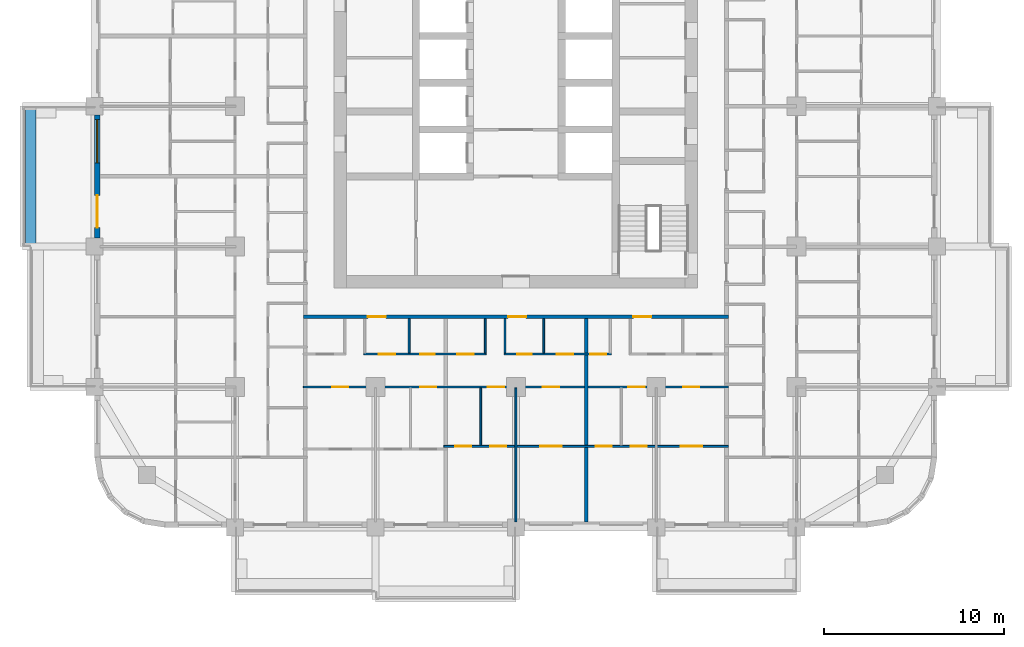
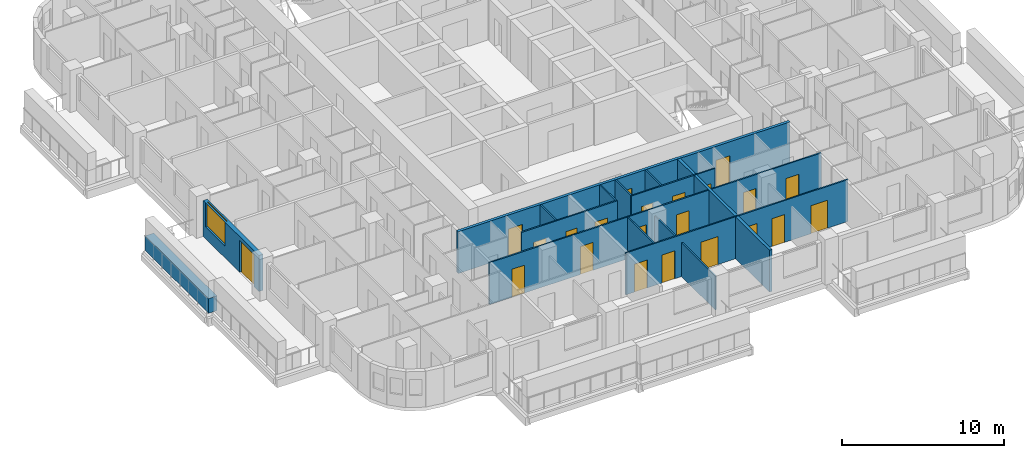
# One storey, part 4 of 18: 22 doors, 14 walls, 1 window, 23 openings.
"""IFC4 building model written with IfcOpenShell, lengths in metres."""

import ifcopenshell
import ifcopenshell.guid

model = None  # the IFC model being written
_history = None  # IfcOwnerHistory: only IFC2X3 demands one
_inside = {}  # id of a spatial element -> (the spatial element, [elements in it])
_under = {}  # id of a project, library or spatial element -> (it, [spatial elements below it])
_declared = {}  # id of a project -> (the project, [libraries it declares])
_typed = {}  # id of a type object -> (the type object, [elements of that type])
_made_of = {}  # id of a material, layer set ... -> (it, [elements and type objects made of it])


def new_model(schema):
    """Start an empty IFC model of exactly this schema.

    Asked for "IFC4X3", IfcOpenShell would pick the latest addendum, in which some entities
    have other attributes; the version numbers below select the first issue.
    IFC2X3 requires an IfcOwnerHistory on every rooted entity: one is made here for all.
    """
    global model, _history
    if schema == "IFC4X3":
        model = ifcopenshell.file(schema_version=(4, 3, 0, 0))
    else:
        model = ifcopenshell.file(schema=schema)
    _inside.clear()
    _under.clear()
    _declared.clear()
    _typed.clear()
    _made_of.clear()
    _history = None
    if model.schema == "IFC2X3":
        org = make("IfcOrganization", Name="unknown")
        user = make(
            "IfcPersonAndOrganization",
            ThePerson=make("IfcPerson", FamilyName="unknown"),
            TheOrganization=org,
        )
        app = make(
            "IfcApplication",
            ApplicationDeveloper=org,
            Version="unknown",
            ApplicationFullName="unknown",
            ApplicationIdentifier="unknown",
        )
        _history = make(
            "IfcOwnerHistory",
            OwningUser=user,
            OwningApplication=app,
            ChangeAction="ADDED",
            CreationDate=0,
        )
    return model


def make(cls, **values):
    """One entity of the class cls with the attributes given. An attribute that is None is left unset."""
    return model.create_entity(
        cls, **{name: value for name, value in values.items() if value is not None}
    )


def rooted(cls, **values):
    """An entity with a GlobalId (a new one), such as an element, a storey or a relation."""
    return make(cls, GlobalId=ifcopenshell.guid.new(), OwnerHistory=_history, **values)


def si_unit(unit_type, name, prefix=None):
    """IfcSIUnit, for example si_unit("LENGTHUNIT", "METRE", prefix="MILLI")."""
    return make("IfcSIUnit", UnitType=unit_type, Prefix=prefix, Name=name)


def assignment(units):
    """IfcUnitAssignment: the units of a project."""
    return None if units is None else make("IfcUnitAssignment", Units=units)


def point(xyz):
    """IfcCartesianPoint."""
    return None if xyz is None else make("IfcCartesianPoint", Coordinates=xyz)


def direction(xyz):
    """IfcDirection."""
    return None if xyz is None else make("IfcDirection", DirectionRatios=xyz)


def frame(location, z_axis=None, x_axis=None):
    """IfcAxis2Placement3D, a coordinate frame: its origin and axes. An axis left out is left unset."""
    return make(
        "IfcAxis2Placement3D",
        Location=point(location),
        Axis=direction(z_axis),
        RefDirection=direction(x_axis),
    )


def frame_2d(location, x_axis=None):
    """IfcAxis2Placement2D, a coordinate frame in the plane: its origin and x axis."""
    return make(
        "IfcAxis2Placement2D", Location=point(location), RefDirection=direction(x_axis)
    )


def origin():
    """The frame at (0, 0, 0) with its axes left unset."""
    return frame((0.0, 0.0, 0.0))


def place(relative_to, where):
    """IfcLocalPlacement: puts the frame where relative to a parent placement (None: the world)."""
    return make(
        "IfcLocalPlacement", PlacementRelTo=relative_to, RelativePlacement=where
    )


def context(
    kind, dimensions, precision=None, world=None, true_north=None, identifier=None
):
    """IfcGeometricRepresentationContext, for example the 3D "Model" context."""
    return make(
        "IfcGeometricRepresentationContext",
        ContextIdentifier=identifier,
        ContextType=kind,
        CoordinateSpaceDimension=dimensions,
        Precision=precision,
        WorldCoordinateSystem=world,
        TrueNorth=true_north,
    )


def subcontext(parent, identifier, kind, view, scale=None):
    """IfcGeometricRepresentationSubContext, for example "Body" below "Model"."""
    return make(
        "IfcGeometricRepresentationSubContext",
        ContextIdentifier=identifier,
        ContextType=kind,
        ParentContext=parent,
        TargetScale=scale,
        TargetView=view,
    )


def project(units=None, contexts=None):
    """IfcProject with its units and contexts."""
    return rooted(
        "IfcProject",
        Name="project",
        RepresentationContexts=contexts,
        UnitsInContext=assignment(units),
    )


def spatial(cls, under=None, at=None, **own):
    """A site, building, storey or space (cls), placed at a placement, below another one or the project."""
    s = rooted(cls, ObjectPlacement=at, **own)
    if under is not None:
        _under.setdefault(under.id(), (under, []))[1].append(s)
    return s


def profile(cls, at=None, kind="AREA", **sizes):
    """A parametric profile (cls). Its sizes go by their IFC names, for example OverallWidth=200.0."""
    return make(cls, ProfileType=kind, Position=at, **sizes)


def rectangle(**sizes):
    """IfcRectangleProfileDef."""
    return profile("IfcRectangleProfileDef", **sizes)


def extrude(swept, where, along, depth):
    """IfcExtrudedAreaSolid: the profile swept, set in the frame where, extruded along a direction by depth."""
    return make(
        "IfcExtrudedAreaSolid",
        SweptArea=swept,
        Position=where,
        ExtrudedDirection=direction(along),
        Depth=depth,
    )


def shape(context_of_items, identifier, shape_type, items):
    """IfcShapeRepresentation: the items that make up one representation, for example the "Body"."""
    return make(
        "IfcShapeRepresentation",
        ContextOfItems=context_of_items,
        RepresentationIdentifier=identifier,
        RepresentationType=shape_type,
        Items=items,
    )


def material(Name=None, Category=None):
    """IfcMaterial."""
    return make("IfcMaterial", Name=Name, Category=Category)


def layer(
    of_material, thickness, ventilated=None, Name=None, Category=None, Priority=None
):
    """IfcMaterialLayer: one layer of a wall or slab, of a material (None: an air gap)."""
    return make(
        "IfcMaterialLayer",
        Material=of_material,
        LayerThickness=thickness,
        IsVentilated=ventilated,
        Name=Name,
        Category=Category,
        Priority=Priority,
    )


def layer_set(layers, Name=None):
    """IfcMaterialLayerSet."""
    return make("IfcMaterialLayerSet", MaterialLayers=layers, LayerSetName=Name)


def made_of(thing, what):
    """Note that an element or type object is made of a material, layer set ...; save() writes the relation."""
    if what is not None:
        _made_of.setdefault(what.id(), (what, []))[1].append(thing)
    return thing


def type_object(cls, material=None, **own):
    """A type object (cls), such as IfcWallType, which elements share."""
    return made_of(rooted(cls, **own), material)


def element(
    cls,
    number,
    at=None,
    inside=None,
    cuts=None,
    type_object=None,
    material=None,
    context=None,
    identifier="Body",
    shape_type=None,
    held_by="IfcProductDefinitionShape",
    body=None,
    shapes=None,
    **own,
):
    """One element of the class cls, such as IfcWall. Its Tag is "e" and its number.

    at: its placement. inside: the storey or other place that contains it. cuts: it is an
    opening in that element (IfcRelVoidsElement). A single representation is given by context,
    identifier, shape_type and body (its items); several are given by shapes. held_by: the class
    of the entity that holds the representations. save() writes the other relations.
    """
    e = rooted(cls, Tag="e%d" % number, ObjectPlacement=at, **own)
    if body is not None:
        shapes = [shape(context, identifier, shape_type, body)]
    if shapes is not None:
        e.Representation = make(held_by, Representations=shapes)
    if inside is not None:
        _inside.setdefault(inside.id(), (inside, []))[1].append(e)
    if cuts is not None:
        rooted(
            "IfcRelVoidsElement", RelatingBuildingElement=cuts, RelatedOpeningElement=e
        )
    if type_object is not None:
        _typed.setdefault(type_object.id(), (type_object, []))[1].append(e)
    return made_of(e, material)


def fill(opening, filler):
    """IfcRelFillsElement: the door or window that sits in an opening."""
    return rooted(
        "IfcRelFillsElement",
        RelatingOpeningElement=opening,
        RelatedBuildingElement=filler,
    )


def aggregate(whole, parts):
    """IfcRelAggregates: a whole, such as a stair, and the parts it consists of."""
    return rooted("IfcRelAggregates", RelatingObject=whole, RelatedObjects=parts)


def save(model, path):
    """Write the relations noted so far, then the file.

    IfcRelAggregates (storeys below a building ...), IfcRelContainedInSpatialStructure (elements
    in a storey), IfcRelDefinesByType, IfcRelAssociatesMaterial and IfcRelDeclares: one each for
    every whole, place, type object, material and project.
    """
    for whole, parts in _under.values():
        aggregate(whole, parts)
    for where, things in _inside.values():
        rooted(
            "IfcRelContainedInSpatialStructure",
            RelatedElements=things,
            RelatingStructure=where,
        )
    for kind, things in _typed.values():
        rooted("IfcRelDefinesByType", RelatedObjects=things, RelatingType=kind)
    for what, things in _made_of.values():
        rooted("IfcRelAssociatesMaterial", RelatedObjects=things, RelatingMaterial=what)
    for by, libraries in _declared.values():
        rooted("IfcRelDeclares", RelatingContext=by, RelatedDefinitions=libraries)
    model.write(path)


model = new_model("IFC4")

# Units and contexts
model_context = context("Model", 3, precision=1e-05, world=origin(), true_north=direction((0.0, 1.0)))
body_context = subcontext(model_context, "Body", "Model", "MODEL_VIEW")
ifc_project = project(units=[si_unit("LENGTHUNIT", "METRE"), si_unit("AREAUNIT", "SQUARE_METRE"), si_unit("VOLUMEUNIT", "CUBIC_METRE"), si_unit("PLANEANGLEUNIT", "RADIAN"), si_unit("MASSUNIT", "GRAM", prefix="KILO")], contexts=[model_context])

# Site, building, storey
site_placement = place(None, origin())
site = spatial("IfcSite", under=ifc_project, at=site_placement, CompositionType="ELEMENT")
building_placement = place(site_placement, origin())
building = spatial("IfcBuilding", under=site, at=building_placement, Name="Ludao Terraces", CompositionType="ELEMENT")
storey_placement = place(building_placement, frame((0.0, 0.0, 64.800048828125)))
storey = spatial("IfcBuildingStorey", under=building, at=storey_placement, Name="L17", CompositionType="ELEMENT", Elevation=64.800048828125)

# Wall
ifc_material_1 = material(Name="Concrete C40", Category="concrete")
ifc_layer_1 = layer(ifc_material_1, 0.60009765625)
ifc_layer_set_1 = layer_set([ifc_layer_1], Name="ENV Planter trough 600")
wall_type_1 = type_object("IfcWallType", Name="ENV Planter trough 600", PredefinedType="USERDEFINED", material=ifc_layer_set_1)
wall_1_placement = place(storey_placement, frame((58.050048828125, 57.199951171875, 0.0), z_axis=(0.0, 0.0, 1.0), x_axis=(0.0, 1.0, 0.0)))
element("IfcWall", 1, at=wall_1_placement, inside=storey, type_object=wall_type_1, Name="PL-L17-W2", ObjectType="PLANTER", PredefinedType="USERDEFINED", context=body_context, shape_type="SweptSolid", body=[
    extrude(rectangle(XDim=7.800048828125, YDim=0.60009765625, at=frame_2d((3.89990234375, 0.0))), origin(), (0.0, 0.0, 1.0), 1.099853515625),
])

# Wall, openings, door, window
ifc_material_2 = material(Name="Granite cladding", Category="masonry")
ifc_layer_2 = layer(ifc_material_2, 0.0400390625, Category="stone")
ifc_material_3 = material(Name="Mineral wool")
ifc_layer_3 = layer(ifc_material_3, 0.06005859375)
ifc_layer_4 = layer(ifc_material_1, 0.199951171875, Category="concrete")
ifc_layer_set_2 = layer_set([ifc_layer_2, ifc_layer_3, ifc_layer_4], Name="ENV Stone-clad wall 300")
wall_type_2 = type_object("IfcWallType", Name="ENV Stone-clad wall 300", PredefinedType="SOLIDWALL", material=ifc_layer_set_2)
wall_2_placement = place(storey_placement, frame((61.75, 57.675048828125, 0.0), z_axis=(0.0, 0.0, 1.0), x_axis=(0.0, 1.0, 0.0)))
wall_2 = element("IfcWall", 2, at=wall_2_placement, inside=storey, type_object=wall_type_2, Name="EW-L17-W3", PredefinedType="SOLIDWALL", context=body_context, shape_type="SweptSolid", body=[
    extrude(rectangle(XDim=6.849853515625, YDim=0.300048828125, at=frame_2d((3.4248046875, 0.0))), origin(), (0.0, 0.0, 1.0), 2.699951171875),
])
opening_1_placement = place(wall_2_placement, frame((0.574951171875, 0.0, 0.0)))
opening_1 = element("IfcOpeningElement", 3, at=opening_1_placement, cuts=wall_2, Name="Opening BD", PredefinedType="OPENING", context=body_context, shape_type="SweptSolid", body=[
    extrude(rectangle(XDim=1.800048828125, YDim=2.39990234375, at=frame_2d((0.89990234375, 1.199951171875))), frame((0.0, 0.16015625, 0.0), z_axis=(0.0, -1.0, 0.0), x_axis=(1.0, 0.0, 0.0)), (0.0, 0.0, 1.0), 0.320068359375),
])
opening_2_placement = place(wall_2_placement, frame((4.175048828125, 0.0, 0.89990234375)))
opening_2 = element("IfcOpeningElement", 4, at=opening_2_placement, cuts=wall_2, Name="Opening W1", PredefinedType="OPENING", context=body_context, shape_type="SweptSolid", body=[
    extrude(rectangle(XDim=2.39990234375, YDim=1.800048828125, at=frame_2d((1.199951171875, 0.89990234375))), frame((0.0, 0.16015625, 0.0), z_axis=(0.0, -1.0, 0.0), x_axis=(1.0, 0.0, 0.0)), (0.0, 0.0, 1.0), 0.320068359375),
])
ifc_material_4 = material(Name="Aluminium glazed door", Category="aluminium")
ifc_layer_5 = layer(ifc_material_4, 0.06005859375)
ifc_layer_set_3 = layer_set([ifc_layer_5], Name="ENV Balcony door BD 1800x2400")
door_type_1 = type_object("IfcDoorType", Name="ENV Balcony door BD 1800x2400", OperationType="DOUBLE_DOOR_SINGLE_SWING", PredefinedType="DOOR", material=ifc_layer_set_3)
door_1_placement = place(opening_1_placement, origin())
door_1 = element("IfcDoor", 5, at=door_1_placement, inside=storey, type_object=door_type_1, Name="BD-L17-W3-1", OperationType="DOUBLE_DOOR_SINGLE_SWING", OverallHeight=2.39990234375, OverallWidth=1.800048828125, PredefinedType="DOOR", context=body_context, shape_type="SweptSolid", body=[
    extrude(rectangle(XDim=1.800048828125, YDim=2.39990234375, at=frame_2d((0.89990234375, 1.199951171875))), frame((0.0, 0.02490234375, 0.0), z_axis=(0.0, -1.0, 0.0), x_axis=(1.0, 0.0, 0.0)), (0.0, 0.0, 1.0), 0.050048828125),
])
fill(opening_1, door_1)
ifc_material_5 = material(Name="Clear glass in aluminium frame", Category="aluminium")
ifc_layer_6 = layer(ifc_material_5, 0.06005859375)
ifc_layer_set_4 = layer_set([ifc_layer_6], Name="ENV Window W1 2400x1800")
window_type = type_object("IfcWindowType", Name="ENV Window W1 2400x1800", PartitioningType="DOUBLE_PANEL_VERTICAL", PredefinedType="WINDOW", material=ifc_layer_set_4)
window_placement = place(opening_2_placement, origin())
window = element("IfcWindow", 6, at=window_placement, inside=storey, type_object=window_type, Name="W-L17-W3-2", OverallHeight=1.800048828125, OverallWidth=2.39990234375, PartitioningType="DOUBLE_PANEL_VERTICAL", PredefinedType="WINDOW", context=body_context, shape_type="SweptSolid", body=[
    extrude(rectangle(XDim=2.39990234375, YDim=1.800048828125, at=frame_2d((1.199951171875, 0.89990234375))), frame((0.0, 0.030029296875, 0.0), z_axis=(0.0, -1.0, 0.0), x_axis=(1.0, 0.0, 0.0)), (0.0, 0.0, 1.0), 0.06005859375),
])
fill(opening_2, window)

# Wall, openings, doors
ifc_material_6 = material(Name="Autoclaved aerated concrete block B06 A3.5", Category="concrete")
ifc_layer_7 = layer(ifc_material_6, 0.199951171875)
ifc_layer_set_5 = layer_set([ifc_layer_7], Name="INT Entrance wall 200")
wall_type_3 = type_object("IfcWallType", Name="INT Entrance wall 200", PredefinedType="PARTITIONING", material=ifc_layer_set_5)
wall_3_placement = place(storey_placement, frame((73.2001953125, 53.300048828125, 0.0), z_axis=(0.0, 0.0, 1.0), x_axis=(1.0, 0.0, 0.0)))
wall_3 = element("IfcWall", 7, at=wall_3_placement, inside=storey, type_object=wall_type_3, Name="PW-L17-PW019", PredefinedType="PARTITIONING", context=body_context, shape_type="SweptSolid", body=[
    extrude(rectangle(XDim=23.599853515625, YDim=0.199951171875, at=frame_2d((11.7998046875, 0.0))), origin(), (0.0, 0.0, 1.0), 3.14990234375),
])
opening_3_placement = place(wall_3_placement, frame((3.574951171875, 0.0, 0.0)))
opening_3 = element("IfcOpeningElement", 8, at=opening_3_placement, cuts=wall_3, Name="Opening R05-048", PredefinedType="OPENING", context=body_context, shape_type="SweptSolid", body=[
    extrude(rectangle(XDim=1.0, YDim=2.10009765625, at=frame_2d((0.5, 1.050048828125))), frame((0.0, 0.10986328125, 0.0), z_axis=(0.0, -1.0, 0.0), x_axis=(1.0, 0.0, 0.0)), (0.0, 0.0, 1.0), 0.219970703125),
])
opening_4_placement = place(wall_3_placement, frame((11.375, 0.0, 0.0)))
opening_4 = element("IfcOpeningElement", 9, at=opening_4_placement, cuts=wall_3, Name="Opening R05-049", PredefinedType="OPENING", context=body_context, shape_type="SweptSolid", body=[
    extrude(rectangle(XDim=1.0, YDim=2.10009765625, at=frame_2d((0.5, 1.050048828125))), frame((0.0, 0.10986328125, 0.0), z_axis=(0.0, -1.0, 0.0), x_axis=(1.0, 0.0, 0.0)), (0.0, 0.0, 1.0), 0.219970703125),
])
opening_5_placement = place(wall_3_placement, frame((18.324951171875, 0.0, 0.0)))
opening_5 = element("IfcOpeningElement", 10, at=opening_5_placement, cuts=wall_3, Name="Opening R05-050", PredefinedType="OPENING", context=body_context, shape_type="SweptSolid", body=[
    extrude(rectangle(XDim=1.0, YDim=2.10009765625, at=frame_2d((0.5, 1.050048828125))), frame((0.0, 0.10986328125, 0.0), z_axis=(0.0, -1.0, 0.0), x_axis=(1.0, 0.0, 0.0)), (0.0, 0.0, 1.0), 0.219970703125),
])
ifc_material_7 = material(Name="Steel Q235", Category="steel")
door_type_2 = type_object("IfcDoorType", Name="INT Flat entrance door 1000", OperationType="SINGLE_SWING_LEFT", PredefinedType="DOOR", material=ifc_material_7)
door_2_placement = place(opening_3_placement, origin())
door_2 = element("IfcDoor", 11, at=door_2_placement, inside=storey, type_object=door_type_2, Name="DOOR 048", OperationType="SINGLE_SWING_LEFT", OverallHeight=2.10009765625, OverallWidth=1.0, PredefinedType="DOOR", context=body_context, shape_type="SweptSolid", body=[
    extrude(rectangle(XDim=1.0, YDim=2.10009765625, at=frame_2d((0.5, 1.050048828125))), frame((0.0, 0.02490234375, 0.0), z_axis=(0.0, -1.0, 0.0), x_axis=(1.0, 0.0, 0.0)), (0.0, 0.0, 1.0), 0.050048828125),
])
fill(opening_3, door_2)
door_3_placement = place(opening_4_placement, origin())
door_3 = element("IfcDoor", 12, at=door_3_placement, inside=storey, type_object=door_type_2, Name="DOOR 049", OperationType="SINGLE_SWING_LEFT", OverallHeight=2.10009765625, OverallWidth=1.0, PredefinedType="DOOR", context=body_context, shape_type="SweptSolid", body=[
    extrude(rectangle(XDim=1.0, YDim=2.10009765625, at=frame_2d((0.5, 1.050048828125))), frame((0.0, 0.02490234375, 0.0), z_axis=(0.0, -1.0, 0.0), x_axis=(1.0, 0.0, 0.0)), (0.0, 0.0, 1.0), 0.050048828125),
])
fill(opening_4, door_3)
door_4_placement = place(opening_5_placement, origin())
door_4 = element("IfcDoor", 13, at=door_4_placement, inside=storey, type_object=door_type_2, Name="DOOR 050", OperationType="SINGLE_SWING_LEFT", OverallHeight=2.10009765625, OverallWidth=1.0, PredefinedType="DOOR", context=body_context, shape_type="SweptSolid", body=[
    extrude(rectangle(XDim=1.0, YDim=2.10009765625, at=frame_2d((0.5, 1.050048828125))), frame((0.0, 0.02490234375, 0.0), z_axis=(0.0, -1.0, 0.0), x_axis=(1.0, 0.0, 0.0)), (0.0, 0.0, 1.0), 0.050048828125),
])
fill(opening_5, door_4)

ifc_material_8 = material(Name="Gypsum plasterboard", Category="gypsum")
ifc_layer_8 = layer(ifc_material_8, 0.012451171875, Category="gypsum")
ifc_layer_9 = layer(ifc_material_3, 0.06005859375, Name="insulation")
ifc_layer_10 = layer(ifc_material_7, 0.014892578125, Name="stud")
ifc_layer_11 = layer(ifc_material_8, 0.012451171875, Category="gypsum")
ifc_layer_set_6 = layer_set([ifc_layer_8, ifc_layer_9, ifc_layer_10, ifc_layer_11], Name="INT Partition 100")
wall_type_4 = type_object("IfcWallType", Name="INT Partition 100", PredefinedType="PARTITIONING", material=ifc_layer_set_6)
wall_4_placement = place(storey_placement, frame((81.0, 46.10009765625, 0.0), z_axis=(0.0, 0.0, 1.0), x_axis=(1.0, 0.0, 0.0)))
wall_4 = element("IfcWall", 14, at=wall_4_placement, inside=storey, type_object=wall_type_4, Name="PW-L17-PW003", PredefinedType="PARTITIONING", context=body_context, shape_type="SweptSolid", body=[
    extrude(rectangle(XDim=15.800048828125, YDim=0.10009765625, at=frame_2d((7.89990234375, 0.0))), origin(), (0.0, 0.0, 1.0), 3.14990234375),
])
opening_6_placement = place(wall_4_placement, frame((0.625, 0.0, 0.0)))
opening_6 = element("IfcOpeningElement", 15, at=opening_6_placement, cuts=wall_4, Name="Opening R05-010", PredefinedType="OPENING", context=body_context, shape_type="SweptSolid", body=[
    extrude(rectangle(XDim=0.89990234375, YDim=2.10009765625, at=frame_2d((0.449951171875, 1.050048828125))), frame((0.0, 0.06005859375, 0.0), z_axis=(0.0, -1.0, 0.0), x_axis=(1.0, 0.0, 0.0)), (0.0, 0.0, 1.0), 0.1201171875),
])
opening_7_placement = place(wall_4_placement, frame((2.5751953125, 0.0, 0.0)))
opening_7 = element("IfcOpeningElement", 16, at=opening_7_placement, cuts=wall_4, Name="Opening R05-011", PredefinedType="OPENING", context=body_context, shape_type="SweptSolid", body=[
    extrude(rectangle(XDim=0.89990234375, YDim=2.10009765625, at=frame_2d((0.449951171875, 1.050048828125))), frame((0.0, 0.06005859375, 0.0), z_axis=(0.0, -1.0, 0.0), x_axis=(1.0, 0.0, 0.0)), (0.0, 0.0, 1.0), 0.1201171875),
])
opening_8_placement = place(wall_4_placement, frame((5.35009765625, 0.0, 0.0)))
opening_8 = element("IfcOpeningElement", 17, at=opening_8_placement, cuts=wall_4, Name="Opening R05-012", PredefinedType="OPENING", context=body_context, shape_type="SweptSolid", body=[
    extrude(rectangle(XDim=1.199951171875, YDim=2.10009765625, at=frame_2d((0.60009765625, 1.050048828125))), frame((0.0, 0.06005859375, 0.0), z_axis=(0.0, -1.0, 0.0), x_axis=(1.0, 0.0, 0.0)), (0.0, 0.0, 1.0), 0.1201171875),
])
opening_9_placement = place(wall_4_placement, frame((8.425048828125, 0.0, 0.0)))
opening_9 = element("IfcOpeningElement", 18, at=opening_9_placement, cuts=wall_4, Name="Opening R05-013", PredefinedType="OPENING", context=body_context, shape_type="SweptSolid", body=[
    extrude(rectangle(XDim=0.89990234375, YDim=2.10009765625, at=frame_2d((0.449951171875, 1.050048828125))), frame((0.0, 0.06005859375, 0.0), z_axis=(0.0, -1.0, 0.0), x_axis=(1.0, 0.0, 0.0)), (0.0, 0.0, 1.0), 0.1201171875),
])
opening_10_placement = place(wall_4_placement, frame((10.375, 0.0, 0.0)))
opening_10 = element("IfcOpeningElement", 19, at=opening_10_placement, cuts=wall_4, Name="Opening R05-014", PredefinedType="OPENING", context=body_context, shape_type="SweptSolid", body=[
    extrude(rectangle(XDim=0.89990234375, YDim=2.10009765625, at=frame_2d((0.449951171875, 1.050048828125))), frame((0.0, 0.06005859375, 0.0), z_axis=(0.0, -1.0, 0.0), x_axis=(1.0, 0.0, 0.0)), (0.0, 0.0, 1.0), 0.1201171875),
])
opening_11_placement = place(wall_4_placement, frame((13.150146484375, 0.0, 0.0)))
opening_11 = element("IfcOpeningElement", 20, at=opening_11_placement, cuts=wall_4, Name="Opening R05-015", PredefinedType="OPENING", context=body_context, shape_type="SweptSolid", body=[
    extrude(rectangle(XDim=1.199951171875, YDim=2.10009765625, at=frame_2d((0.60009765625, 1.050048828125))), frame((0.0, 0.06005859375, 0.0), z_axis=(0.0, -1.0, 0.0), x_axis=(1.0, 0.0, 0.0)), (0.0, 0.0, 1.0), 0.1201171875),
])
ifc_material_9 = material(Name="Timber door leaf", Category="wood")
door_type_3 = type_object("IfcDoorType", Name="INT Bathroom door 900", OperationType="SINGLE_SWING_LEFT", PredefinedType="DOOR", material=ifc_material_9)
door_5_placement = place(opening_6_placement, origin())
door_5 = element("IfcDoor", 21, at=door_5_placement, inside=storey, type_object=door_type_3, Name="DOOR 010", OperationType="SINGLE_SWING_LEFT", OverallHeight=2.10009765625, OverallWidth=0.89990234375, PredefinedType="DOOR", context=body_context, shape_type="SweptSolid", body=[
    extrude(rectangle(XDim=0.89990234375, YDim=2.10009765625, at=frame_2d((0.449951171875, 1.050048828125))), frame((0.0, 0.02490234375, 0.0), z_axis=(0.0, -1.0, 0.0), x_axis=(1.0, 0.0, 0.0)), (0.0, 0.0, 1.0), 0.050048828125),
])
fill(opening_6, door_5)
door_6_placement = place(opening_9_placement, origin())
door_6 = element("IfcDoor", 22, at=door_6_placement, inside=storey, type_object=door_type_3, Name="DOOR 013", OperationType="SINGLE_SWING_LEFT", OverallHeight=2.10009765625, OverallWidth=0.89990234375, PredefinedType="DOOR", context=body_context, shape_type="SweptSolid", body=[
    extrude(rectangle(XDim=0.89990234375, YDim=2.10009765625, at=frame_2d((0.449951171875, 1.050048828125))), frame((0.0, 0.02490234375, 0.0), z_axis=(0.0, -1.0, 0.0), x_axis=(1.0, 0.0, 0.0)), (0.0, 0.0, 1.0), 0.050048828125),
])
fill(opening_9, door_6)
door_type_4 = type_object("IfcDoorType", Name="INT Double door 1200", OperationType="DOUBLE_DOOR_SINGLE_SWING", PredefinedType="DOOR", material=ifc_material_9)
door_7_placement = place(opening_8_placement, origin())
door_7 = element("IfcDoor", 23, at=door_7_placement, inside=storey, type_object=door_type_4, Name="DOOR 012", OperationType="DOUBLE_DOOR_SINGLE_SWING", OverallHeight=2.10009765625, OverallWidth=1.199951171875, PredefinedType="DOOR", context=body_context, shape_type="SweptSolid", body=[
    extrude(rectangle(XDim=1.199951171875, YDim=2.10009765625, at=frame_2d((0.60009765625, 1.050048828125))), frame((0.0, 0.02490234375, 0.0), z_axis=(0.0, -1.0, 0.0), x_axis=(1.0, 0.0, 0.0)), (0.0, 0.0, 1.0), 0.050048828125),
])
fill(opening_8, door_7)
door_8_placement = place(opening_11_placement, origin())
door_8 = element("IfcDoor", 24, at=door_8_placement, inside=storey, type_object=door_type_4, Name="DOOR 015", OperationType="DOUBLE_DOOR_SINGLE_SWING", OverallHeight=2.10009765625, OverallWidth=1.199951171875, PredefinedType="DOOR", context=body_context, shape_type="SweptSolid", body=[
    extrude(rectangle(XDim=1.199951171875, YDim=2.10009765625, at=frame_2d((0.60009765625, 1.050048828125))), frame((0.0, 0.02490234375, 0.0), z_axis=(0.0, -1.0, 0.0), x_axis=(1.0, 0.0, 0.0)), (0.0, 0.0, 1.0), 0.050048828125),
])
fill(opening_11, door_8)
door_type_5 = type_object("IfcDoorType", Name="INT Room door 900", OperationType="SINGLE_SWING_LEFT", PredefinedType="DOOR", material=ifc_material_9)
door_9_placement = place(opening_7_placement, origin())
door_9 = element("IfcDoor", 25, at=door_9_placement, inside=storey, type_object=door_type_5, Name="DOOR 011", OperationType="SINGLE_SWING_LEFT", OverallHeight=2.10009765625, OverallWidth=0.89990234375, PredefinedType="DOOR", context=body_context, shape_type="SweptSolid", body=[
    extrude(rectangle(XDim=0.89990234375, YDim=2.10009765625, at=frame_2d((0.449951171875, 1.050048828125))), frame((0.0, 0.02490234375, 0.0), z_axis=(0.0, -1.0, 0.0), x_axis=(1.0, 0.0, 0.0)), (0.0, 0.0, 1.0), 0.050048828125),
])
fill(opening_7, door_9)
door_10_placement = place(opening_10_placement, origin())
door_10 = element("IfcDoor", 26, at=door_10_placement, inside=storey, type_object=door_type_5, Name="DOOR 014", OperationType="SINGLE_SWING_RIGHT", OverallHeight=2.10009765625, OverallWidth=0.89990234375, PredefinedType="DOOR", context=body_context, shape_type="SweptSolid", body=[
    extrude(rectangle(XDim=0.89990234375, YDim=2.10009765625, at=frame_2d((0.449951171875, 1.050048828125))), frame((0.0, 0.02490234375, 0.0), z_axis=(0.0, -1.0, 0.0), x_axis=(1.0, 0.0, 0.0)), (0.0, 0.0, 1.0), 0.050048828125),
])
fill(opening_10, door_10)

wall_5_placement = place(storey_placement, frame((73.2001953125, 49.39990234375, 0.0), z_axis=(0.0, 0.0, 1.0), x_axis=(1.0, 0.0, 0.0)))
wall_5 = element("IfcWall", 27, at=wall_5_placement, inside=storey, type_object=wall_type_4, Name="PW-L17-PW008", PredefinedType="PARTITIONING", context=body_context, shape_type="SweptSolid", body=[
    extrude(rectangle(XDim=23.599853515625, YDim=0.10009765625, at=frame_2d((11.7998046875, 0.0))), origin(), (0.0, 0.0, 1.0), 3.14990234375),
])
opening_12_placement = place(wall_5_placement, frame((1.599853515625, 0.0, 0.0)))
opening_12 = element("IfcOpeningElement", 28, at=opening_12_placement, cuts=wall_5, Name="Opening R05-024", PredefinedType="OPENING", context=body_context, shape_type="SweptSolid", body=[
    extrude(rectangle(XDim=0.89990234375, YDim=2.10009765625, at=frame_2d((0.449951171875, 1.050048828125))), frame((0.0, 0.06005859375, 0.0), z_axis=(0.0, -1.0, 0.0), x_axis=(1.0, 0.0, 0.0)), (0.0, 0.0, 1.0), 0.1201171875),
])
opening_13_placement = place(wall_5_placement, frame((6.474853515625, 0.0, 0.0)))
opening_13 = element("IfcOpeningElement", 29, at=opening_13_placement, cuts=wall_5, Name="Opening R05-025", PredefinedType="OPENING", context=body_context, shape_type="SweptSolid", body=[
    extrude(rectangle(XDim=0.89990234375, YDim=2.10009765625, at=frame_2d((0.449951171875, 1.050048828125))), frame((0.0, 0.06005859375, 0.0), z_axis=(0.0, -1.0, 0.0), x_axis=(1.0, 0.0, 0.0)), (0.0, 0.0, 1.0), 0.1201171875),
])
opening_14_placement = place(wall_5_placement, frame((10.25, 0.0, 0.0)))
opening_14 = element("IfcOpeningElement", 30, at=opening_14_placement, cuts=wall_5, Name="Opening R05-026", PredefinedType="OPENING", context=body_context, shape_type="SweptSolid", body=[
    extrude(rectangle(XDim=0.89990234375, YDim=2.10009765625, at=frame_2d((0.449951171875, 1.050048828125))), frame((0.0, 0.06005859375, 0.0), z_axis=(0.0, -1.0, 0.0), x_axis=(1.0, 0.0, 0.0)), (0.0, 0.0, 1.0), 0.1201171875),
])
opening_15_placement = place(wall_5_placement, frame((13.2998046875, 0.0, 0.0)))
opening_15 = element("IfcOpeningElement", 31, at=opening_15_placement, cuts=wall_5, Name="Opening R05-027", PredefinedType="OPENING", context=body_context, shape_type="SweptSolid", body=[
    extrude(rectangle(XDim=0.89990234375, YDim=2.10009765625, at=frame_2d((0.449951171875, 1.050048828125))), frame((0.0, 0.06005859375, 0.0), z_axis=(0.0, -1.0, 0.0), x_axis=(1.0, 0.0, 0.0)), (0.0, 0.0, 1.0), 0.1201171875),
])
opening_16_placement = place(wall_5_placement, frame((18.0498046875, 0.0, 0.0)))
opening_16 = element("IfcOpeningElement", 32, at=opening_16_placement, cuts=wall_5, Name="Opening R05-028", PredefinedType="OPENING", context=body_context, shape_type="SweptSolid", body=[
    extrude(rectangle(XDim=0.89990234375, YDim=2.10009765625, at=frame_2d((0.449951171875, 1.050048828125))), frame((0.0, 0.06005859375, 0.0), z_axis=(0.0, -1.0, 0.0), x_axis=(1.0, 0.0, 0.0)), (0.0, 0.0, 1.0), 0.1201171875),
])
opening_17_placement = place(wall_5_placement, frame((21.099853515625, 0.0, 0.0)))
opening_17 = element("IfcOpeningElement", 33, at=opening_17_placement, cuts=wall_5, Name="Opening R05-029", PredefinedType="OPENING", context=body_context, shape_type="SweptSolid", body=[
    extrude(rectangle(XDim=0.89990234375, YDim=2.10009765625, at=frame_2d((0.449951171875, 1.050048828125))), frame((0.0, 0.06005859375, 0.0), z_axis=(0.0, -1.0, 0.0), x_axis=(1.0, 0.0, 0.0)), (0.0, 0.0, 1.0), 0.1201171875),
])
door_11_placement = place(opening_12_placement, origin())
door_11 = element("IfcDoor", 34, at=door_11_placement, inside=storey, type_object=door_type_5, Name="DOOR 024", OperationType="SINGLE_SWING_LEFT", OverallHeight=2.10009765625, OverallWidth=0.89990234375, PredefinedType="DOOR", context=body_context, shape_type="SweptSolid", body=[
    extrude(rectangle(XDim=0.89990234375, YDim=2.10009765625, at=frame_2d((0.449951171875, 1.050048828125))), frame((0.0, 0.02490234375, 0.0), z_axis=(0.0, -1.0, 0.0), x_axis=(1.0, 0.0, 0.0)), (0.0, 0.0, 1.0), 0.050048828125),
])
fill(opening_12, door_11)
door_12_placement = place(opening_13_placement, origin())
door_12 = element("IfcDoor", 35, at=door_12_placement, inside=storey, type_object=door_type_5, Name="DOOR 025", OperationType="SINGLE_SWING_RIGHT", OverallHeight=2.10009765625, OverallWidth=0.89990234375, PredefinedType="DOOR", context=body_context, shape_type="SweptSolid", body=[
    extrude(rectangle(XDim=0.89990234375, YDim=2.10009765625, at=frame_2d((0.449951171875, 1.050048828125))), frame((0.0, 0.02490234375, 0.0), z_axis=(0.0, -1.0, 0.0), x_axis=(1.0, 0.0, 0.0)), (0.0, 0.0, 1.0), 0.050048828125),
])
fill(opening_13, door_12)
door_13_placement = place(opening_14_placement, origin())
door_13 = element("IfcDoor", 36, at=door_13_placement, inside=storey, type_object=door_type_5, Name="DOOR 026", OperationType="SINGLE_SWING_RIGHT", OverallHeight=2.10009765625, OverallWidth=0.89990234375, PredefinedType="DOOR", context=body_context, shape_type="SweptSolid", body=[
    extrude(rectangle(XDim=0.89990234375, YDim=2.10009765625, at=frame_2d((0.449951171875, 1.050048828125))), frame((0.0, 0.02490234375, 0.0), z_axis=(0.0, -1.0, 0.0), x_axis=(1.0, 0.0, 0.0)), (0.0, 0.0, 1.0), 0.050048828125),
])
fill(opening_14, door_13)
door_14_placement = place(opening_15_placement, origin())
door_14 = element("IfcDoor", 37, at=door_14_placement, inside=storey, type_object=door_type_5, Name="DOOR 027", OperationType="SINGLE_SWING_LEFT", OverallHeight=2.10009765625, OverallWidth=0.89990234375, PredefinedType="DOOR", context=body_context, shape_type="SweptSolid", body=[
    extrude(rectangle(XDim=0.89990234375, YDim=2.10009765625, at=frame_2d((0.449951171875, 1.050048828125))), frame((0.0, 0.02490234375, 0.0), z_axis=(0.0, -1.0, 0.0), x_axis=(1.0, 0.0, 0.0)), (0.0, 0.0, 1.0), 0.050048828125),
])
fill(opening_15, door_14)
door_15_placement = place(opening_16_placement, origin())
door_15 = element("IfcDoor", 38, at=door_15_placement, inside=storey, type_object=door_type_5, Name="DOOR 028", OperationType="SINGLE_SWING_RIGHT", OverallHeight=2.10009765625, OverallWidth=0.89990234375, PredefinedType="DOOR", context=body_context, shape_type="SweptSolid", body=[
    extrude(rectangle(XDim=0.89990234375, YDim=2.10009765625, at=frame_2d((0.449951171875, 1.050048828125))), frame((0.0, 0.02490234375, 0.0), z_axis=(0.0, -1.0, 0.0), x_axis=(1.0, 0.0, 0.0)), (0.0, 0.0, 1.0), 0.050048828125),
])
fill(opening_16, door_15)
door_16_placement = place(opening_17_placement, origin())
door_16 = element("IfcDoor", 39, at=door_16_placement, inside=storey, type_object=door_type_5, Name="DOOR 029", OperationType="SINGLE_SWING_RIGHT", OverallHeight=2.10009765625, OverallWidth=0.89990234375, PredefinedType="DOOR", context=body_context, shape_type="SweptSolid", body=[
    extrude(rectangle(XDim=0.89990234375, YDim=2.10009765625, at=frame_2d((0.449951171875, 1.050048828125))), frame((0.0, 0.02490234375, 0.0), z_axis=(0.0, -1.0, 0.0), x_axis=(1.0, 0.0, 0.0)), (0.0, 0.0, 1.0), 0.050048828125),
])
fill(opening_17, door_16)

wall_6_placement = place(storey_placement, frame((76.550048828125, 51.22998046875, 0.0), z_axis=(0.0, 0.0, 1.0), x_axis=(1.0, 0.0, 0.0)))
wall_6 = element("IfcWall", 40, at=wall_6_placement, inside=storey, type_object=wall_type_4, Name="PW-L17-PW012", PredefinedType="PARTITIONING", context=body_context, shape_type="SweptSolid", body=[
    extrude(rectangle(XDim=6.800048828125, YDim=0.10009765625, at=frame_2d((3.39990234375, 0.0))), origin(), (0.0, 0.0, 1.0), 3.14990234375),
])
opening_18_placement = place(wall_6_placement, frame((0.8349609375, 0.0, 0.0)))
opening_18 = element("IfcOpeningElement", 41, at=opening_18_placement, cuts=wall_6, Name="Opening R05-034", PredefinedType="OPENING", context=body_context, shape_type="SweptSolid", body=[
    extrude(rectangle(XDim=0.89990234375, YDim=2.10009765625, at=frame_2d((0.449951171875, 1.050048828125))), frame((0.0, 0.06005859375, 0.0), z_axis=(0.0, -1.0, 0.0), x_axis=(1.0, 0.0, 0.0)), (0.0, 0.0, 1.0), 0.1201171875),
])
opening_19_placement = place(wall_6_placement, frame((3.135009765625, 0.0, 0.0)))
opening_19 = element("IfcOpeningElement", 42, at=opening_19_placement, cuts=wall_6, Name="Opening R05-035", PredefinedType="OPENING", context=body_context, shape_type="SweptSolid", body=[
    extrude(rectangle(XDim=0.800048828125, YDim=2.10009765625, at=frame_2d((0.39990234375, 1.050048828125))), frame((0.0, 0.06005859375, 0.0), z_axis=(0.0, -1.0, 0.0), x_axis=(1.0, 0.0, 0.0)), (0.0, 0.0, 1.0), 0.1201171875),
])
opening_20_placement = place(wall_6_placement, frame((5.199951171875, 0.0, 0.0)))
opening_20 = element("IfcOpeningElement", 43, at=opening_20_placement, cuts=wall_6, Name="Opening R05-036", PredefinedType="OPENING", context=body_context, shape_type="SweptSolid", body=[
    extrude(rectangle(XDim=0.89990234375, YDim=2.10009765625, at=frame_2d((0.449951171875, 1.050048828125))), frame((0.0, 0.06005859375, 0.0), z_axis=(0.0, -1.0, 0.0), x_axis=(1.0, 0.0, 0.0)), (0.0, 0.0, 1.0), 0.1201171875),
])
door_17_placement = place(opening_18_placement, origin())
door_17 = element("IfcDoor", 44, at=door_17_placement, inside=storey, type_object=door_type_5, Name="DOOR 034", OperationType="SINGLE_SWING_LEFT", OverallHeight=2.10009765625, OverallWidth=0.89990234375, PredefinedType="DOOR", context=body_context, shape_type="SweptSolid", body=[
    extrude(rectangle(XDim=0.89990234375, YDim=2.10009765625, at=frame_2d((0.449951171875, 1.050048828125))), frame((0.0, 0.02490234375, 0.0), z_axis=(0.0, -1.0, 0.0), x_axis=(1.0, 0.0, 0.0)), (0.0, 0.0, 1.0), 0.050048828125),
])
fill(opening_18, door_17)
door_18_placement = place(opening_20_placement, origin())
door_18 = element("IfcDoor", 45, at=door_18_placement, inside=storey, type_object=door_type_5, Name="DOOR 036", OperationType="SINGLE_SWING_LEFT", OverallHeight=2.10009765625, OverallWidth=0.89990234375, PredefinedType="DOOR", context=body_context, shape_type="SweptSolid", body=[
    extrude(rectangle(XDim=0.89990234375, YDim=2.10009765625, at=frame_2d((0.449951171875, 1.050048828125))), frame((0.0, 0.02490234375, 0.0), z_axis=(0.0, -1.0, 0.0), x_axis=(1.0, 0.0, 0.0)), (0.0, 0.0, 1.0), 0.050048828125),
])
fill(opening_20, door_18)
door_type_6 = type_object("IfcDoorType", Name="INT Store door 800", OperationType="SINGLE_SWING_LEFT", PredefinedType="DOOR", material=ifc_material_9)
door_19_placement = place(opening_19_placement, origin())
door_19 = element("IfcDoor", 46, at=door_19_placement, inside=storey, type_object=door_type_6, Name="DOOR 035", OperationType="SINGLE_SWING_RIGHT", OverallHeight=2.10009765625, OverallWidth=0.800048828125, PredefinedType="DOOR", context=body_context, shape_type="SweptSolid", body=[
    extrude(rectangle(XDim=0.800048828125, YDim=2.10009765625, at=frame_2d((0.39990234375, 1.050048828125))), frame((0.0, 0.02490234375, 0.0), z_axis=(0.0, -1.0, 0.0), x_axis=(1.0, 0.0, 0.0)), (0.0, 0.0, 1.0), 0.050048828125),
])
fill(opening_19, door_19)

wall_7_placement = place(storey_placement, frame((84.35009765625, 51.22998046875, 0.0), z_axis=(0.0, 0.0, 1.0), x_axis=(1.0, 0.0, 0.0)))
wall_7 = element("IfcWall", 47, at=wall_7_placement, inside=storey, type_object=wall_type_4, Name="PW-L17-PW013", PredefinedType="PARTITIONING", context=body_context, shape_type="SweptSolid", body=[
    extrude(rectangle(XDim=5.949951171875, YDim=0.10009765625, at=frame_2d((2.97509765625, 0.0))), origin(), (0.0, 0.0, 1.0), 3.14990234375),
])
opening_21_placement = place(wall_7_placement, frame((0.72509765625, 0.0, 0.0)))
opening_21 = element("IfcOpeningElement", 48, at=opening_21_placement, cuts=wall_7, Name="Opening R05-037", PredefinedType="OPENING", context=body_context, shape_type="SweptSolid", body=[
    extrude(rectangle(XDim=0.800048828125, YDim=2.10009765625, at=frame_2d((0.39990234375, 1.050048828125))), frame((0.0, 0.06005859375, 0.0), z_axis=(0.0, -1.0, 0.0), x_axis=(1.0, 0.0, 0.0)), (0.0, 0.0, 1.0), 0.1201171875),
])
opening_22_placement = place(wall_7_placement, frame((2.925048828125, 0.0, 0.0)))
opening_22 = element("IfcOpeningElement", 49, at=opening_22_placement, cuts=wall_7, Name="Opening R05-038", PredefinedType="OPENING", context=body_context, shape_type="SweptSolid", body=[
    extrude(rectangle(XDim=0.89990234375, YDim=2.10009765625, at=frame_2d((0.449951171875, 1.050048828125))), frame((0.0, 0.06005859375, 0.0), z_axis=(0.0, -1.0, 0.0), x_axis=(1.0, 0.0, 0.0)), (0.0, 0.0, 1.0), 0.1201171875),
])
opening_23_placement = place(wall_7_placement, frame((4.77490234375, 0.0, 0.0)))
opening_23 = element("IfcOpeningElement", 50, at=opening_23_placement, cuts=wall_7, Name="Opening R05-039", PredefinedType="OPENING", context=body_context, shape_type="SweptSolid", body=[
    extrude(rectangle(XDim=0.89990234375, YDim=2.10009765625, at=frame_2d((0.449951171875, 1.050048828125))), frame((0.0, 0.06005859375, 0.0), z_axis=(0.0, -1.0, 0.0), x_axis=(1.0, 0.0, 0.0)), (0.0, 0.0, 1.0), 0.1201171875),
])
door_20_placement = place(opening_22_placement, origin())
door_20 = element("IfcDoor", 51, at=door_20_placement, inside=storey, type_object=door_type_3, Name="DOOR 038", OperationType="SINGLE_SWING_RIGHT", OverallHeight=2.10009765625, OverallWidth=0.89990234375, PredefinedType="DOOR", context=body_context, shape_type="SweptSolid", body=[
    extrude(rectangle(XDim=0.89990234375, YDim=2.10009765625, at=frame_2d((0.449951171875, 1.050048828125))), frame((0.0, 0.02490234375, 0.0), z_axis=(0.0, -1.0, 0.0), x_axis=(1.0, 0.0, 0.0)), (0.0, 0.0, 1.0), 0.050048828125),
])
fill(opening_22, door_20)
door_21_placement = place(opening_23_placement, origin())
door_21 = element("IfcDoor", 52, at=door_21_placement, inside=storey, type_object=door_type_3, Name="DOOR 039", OperationType="SINGLE_SWING_LEFT", OverallHeight=2.10009765625, OverallWidth=0.89990234375, PredefinedType="DOOR", context=body_context, shape_type="SweptSolid", body=[
    extrude(rectangle(XDim=0.89990234375, YDim=2.10009765625, at=frame_2d((0.449951171875, 1.050048828125))), frame((0.0, 0.02490234375, 0.0), z_axis=(0.0, -1.0, 0.0), x_axis=(1.0, 0.0, 0.0)), (0.0, 0.0, 1.0), 0.050048828125),
])
fill(opening_23, door_21)
door_22_placement = place(opening_21_placement, origin())
door_22 = element("IfcDoor", 53, at=door_22_placement, inside=storey, type_object=door_type_6, Name="DOOR 037", OperationType="SINGLE_SWING_RIGHT", OverallHeight=2.10009765625, OverallWidth=0.800048828125, PredefinedType="DOOR", context=body_context, shape_type="SweptSolid", body=[
    extrude(rectangle(XDim=0.800048828125, YDim=2.10009765625, at=frame_2d((0.39990234375, 1.050048828125))), frame((0.0, 0.02490234375, 0.0), z_axis=(0.0, -1.0, 0.0), x_axis=(1.0, 0.0, 0.0)), (0.0, 0.0, 1.0), 0.050048828125),
])
fill(opening_21, door_22)

# Walls
wall_8_placement = place(storey_placement, frame((79.070068359375, 51.280029296875, 0.0), z_axis=(0.0, 0.0, 1.0), x_axis=(0.0, 1.0, 0.0)))
element("IfcWall", 54, at=wall_8_placement, inside=storey, type_object=wall_type_4, Name="PW-L17-PW098", PredefinedType="PARTITIONING", context=body_context, shape_type="SweptSolid", body=[
    extrude(rectangle(XDim=1.920166015625, YDim=0.10009765625, at=frame_2d((0.9599609375, 0.0))), origin(), (0.0, 0.0, 1.0), 3.14990234375),
])
wall_9_placement = place(storey_placement, frame((83.050048828125, 46.150146484375, 0.0), z_axis=(0.0, 0.0, 1.0), x_axis=(0.0, 1.0, 0.0)))
element("IfcWall", 55, at=wall_9_placement, inside=storey, type_object=wall_type_4, Name="PW-L17-PW103", PredefinedType="PARTITIONING", context=body_context, shape_type="SweptSolid", body=[
    extrude(rectangle(XDim=3.199951171875, YDim=0.10009765625, at=frame_2d((1.60009765625, 0.0))), origin(), (0.0, 0.0, 1.0), 3.14990234375),
])
for number, where, z_axis, x_axis, name in (
    (56, (83.300048828125, 51.280029296875, 0.0), (0.0, 0.0, 1.0), (0.0, 1.0, 0.0), "PW-L17-PW104"),
    (57, (84.39990234375, 51.280029296875, 0.0), (0.0, 0.0, 1.0), (0.0, 1.0, 0.0), "PW-L17-PW105"),
):
    element("IfcWall", number, at=place(storey_placement, frame(where, z_axis=z_axis, x_axis=x_axis)), inside=storey, type_object=wall_type_4, Name=name, PredefinedType="PARTITIONING", context=body_context, shape_type="SweptSolid", body=[
        extrude(rectangle(XDim=1.920166015625, YDim=0.10009765625, at=frame_2d((0.9599609375, 0.0))), origin(), (0.0, 0.0, 1.0), 3.14990234375),
    ])
wall_10_placement = place(storey_placement, frame((85.0, 41.900146484375, 0.0), z_axis=(0.0, 0.0, 1.0), x_axis=(0.0, 1.0, 0.0)))
element("IfcWall", 58, at=wall_10_placement, inside=storey, type_object=wall_type_4, Name="PW-L17-PW106", PredefinedType="PARTITIONING", context=body_context, shape_type="SweptSolid", body=[
    extrude(rectangle(XDim=7.449951171875, YDim=0.10009765625, at=frame_2d((3.72509765625, 0.0))), origin(), (0.0, 0.0, 1.0), 2.5498046875),
])
wall_11_placement = place(storey_placement, frame((86.550048828125, 51.280029296875, 0.0), z_axis=(0.0, 0.0, 1.0), x_axis=(0.0, 1.0, 0.0)))
element("IfcWall", 59, at=wall_11_placement, inside=storey, type_object=wall_type_4, Name="PW-L17-PW108", PredefinedType="PARTITIONING", context=body_context, shape_type="SweptSolid", body=[
    extrude(rectangle(XDim=1.920166015625, YDim=0.10009765625, at=frame_2d((0.9599609375, 0.0))), origin(), (0.0, 0.0, 1.0), 3.14990234375),
])
ifc_layer_12 = layer(ifc_material_6, 0.199951171875)
ifc_layer_set_7 = layer_set([ifc_layer_12], Name="INT Party wall 200")
wall_type_5 = type_object("IfcWallType", Name="INT Party wall 200", PredefinedType="PARTITIONING", material=ifc_layer_set_7)
wall_12_placement = place(storey_placement, frame((88.89990234375, 41.900146484375, 0.0), z_axis=(0.0, 0.0, 1.0), x_axis=(0.0, 1.0, 0.0)))
element("IfcWall", 60, at=wall_12_placement, inside=storey, type_object=wall_type_5, Name="PW-L17-PW109", PredefinedType="PARTITIONING", context=body_context, shape_type="SweptSolid", body=[
    extrude(rectangle(XDim=11.300048828125, YDim=0.199951171875, at=frame_2d((5.64990234375, 0.0))), origin(), (0.0, 0.0, 1.0), 3.14990234375),
])

save(model, "model.ifc")
